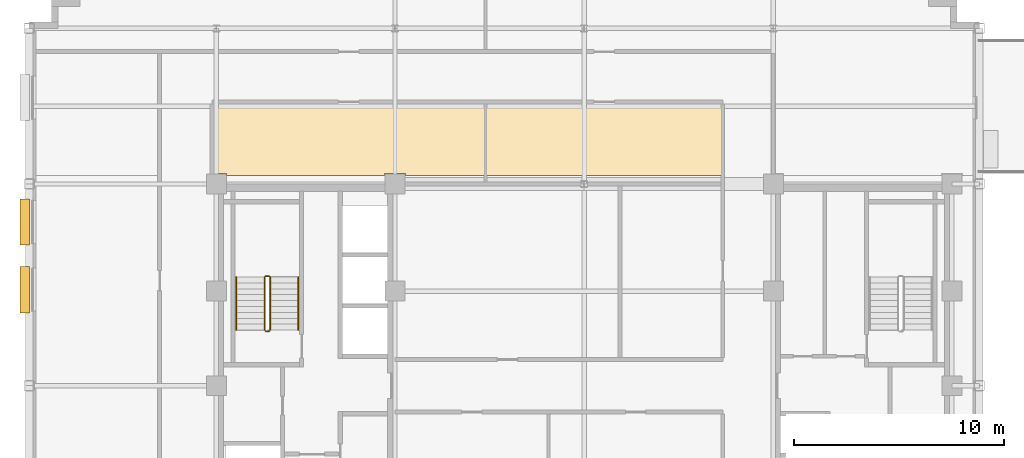
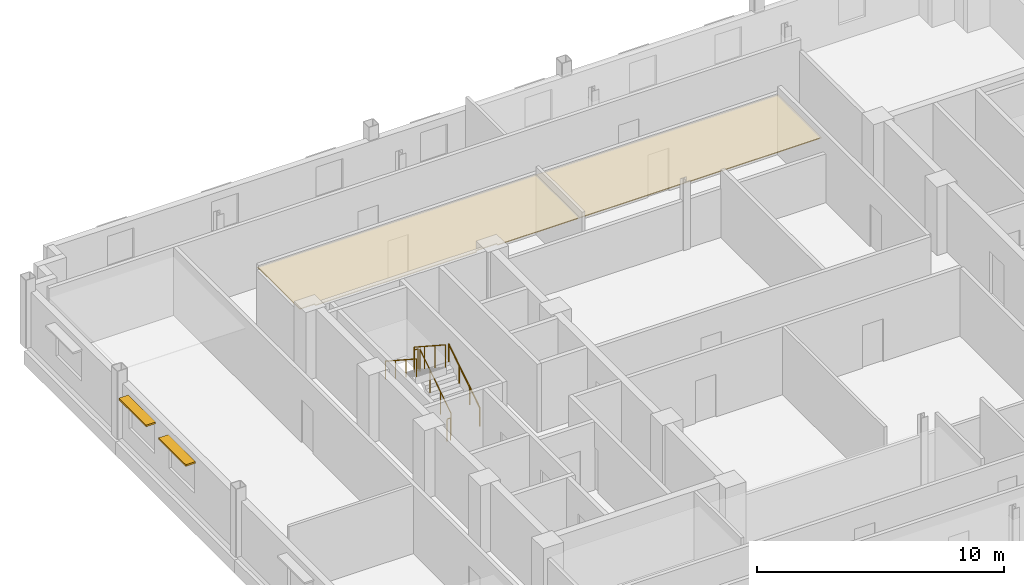
# One storey, part 11 of 13: 6 railings, 2 coverings, 2 shading devices.
"""IFC4 building model written with IfcOpenShell, lengths in metres."""

from ifc_helpers import new_model, si_unit, direction, frame, origin, origin_2d, place, context, subcontext, project, spatial, polyline, rectangle, circle, outline, extrude, source, transform, mapped, material, layer, layer_set, type_object, type_shapes, element, save


model = new_model("IFC4")

# Units and contexts
model_context = context("Model", 3, precision=1e-05, world=origin(), true_north=direction((0.0, 1.0)))
body_context = subcontext(model_context, "Body", "Model", "MODEL_VIEW")
ifc_project = project(units=[si_unit("LENGTHUNIT", "METRE"), si_unit("AREAUNIT", "SQUARE_METRE"), si_unit("VOLUMEUNIT", "CUBIC_METRE"), si_unit("PLANEANGLEUNIT", "RADIAN"), si_unit("MASSUNIT", "GRAM", prefix="KILO")], contexts=[model_context])

# Site, building, storey
site_placement = place(None, origin())
site = spatial("IfcSite", under=ifc_project, at=site_placement, CompositionType="ELEMENT")
building_placement = place(site_placement, origin())
building = spatial("IfcBuilding", under=site, at=building_placement, Name="Nuvemarco Arch Tower", CompositionType="ELEMENT")
storey_placement = place(building_placement, frame((0.0, 0.0, 212.800048828125)))
storey = spatial("IfcBuildingStorey", under=building, at=storey_placement, Name="L56", CompositionType="ELEMENT", Elevation=212.800048828125)

# Coverings
ifc_material_1 = material(Name="Mineral acoustic ceiling tile")
ifc_layer = layer(ifc_material_1, 0.0400390625, Name="COV-ACOUSTIC-CLG")
ifc_layer_set = layer_set([ifc_layer], Name="Mineral acoustic ceiling tile")
covering_type = type_object("IfcCoveringType", Name="COV-ACOUSTIC-CLG", PredefinedType="CEILING", material=ifc_layer_set)
covering_1_placement = place(storey_placement, frame((0.0, 0.0, 2.849853515625)))
element("IfcCovering", 1, at=covering_1_placement, inside=storey, type_object=covering_type, Name="L56 suspended acoustic ceiling 5", PredefinedType="CEILING", context=body_context, shape_type="SweptSolid", body=[
    extrude(outline(polyline([(-4.68994140625, 13.5), (-4.68994140625, 10.0), (-8.510009765625, 10.0), (-8.510009765625, 10.090087890625), (-9.489990234375, 10.090087890625), (-9.489990234375, 10.0), (-17.010009765625, 10.0), (-17.010009765625, 10.090087890625), (-17.699951171875, 10.090087890625), (-17.699951171875, 13.5), (-4.68994140625, 13.5)])), origin(), (0.0, 0.0, 1.0), 0.0400390625),
])
covering_2_placement = place(storey_placement, frame((0.0, 0.0, 2.849853515625)))
element("IfcCovering", 2, at=covering_2_placement, inside=storey, type_object=covering_type, Name="L56 suspended acoustic ceiling 7", PredefinedType="CEILING", context=body_context, shape_type="SweptSolid", body=[
    extrude(outline(polyline([(-4.68994140625, 13.5), (6.60009765625, 13.5), (6.60009765625, 10.0), (-4.68994140625, 10.0), (-4.68994140625, 13.5)])), origin(), (0.0, 0.0, 1.0), 0.0400390625),
])

# Railings
ifc_material_2 = material(Name="Brushed stainless steel handrail", Category="steel")
railing_type_1 = type_object("IfcRailingType", Name="RL-HANDRAIL-900", PredefinedType="HANDRAIL", material=ifc_material_2)
railing_1_placement = place(storey_placement, frame((-13.590087890625, 2.64990234375, 0.182373046875)))
element("IfcRailing", 3, at=railing_1_placement, inside=storey, type_object=railing_type_1, Name="L56 ST-1 stair handrail 1", PredefinedType="HANDRAIL", context=body_context, shape_type="SweptSolid", body=[
    extrude(circle(Radius=0.02392578125, at=origin_2d()), frame((0.0, 0.0, 0.8759765625), z_axis=(0.0, 0.837749427056, 0.546054848405), x_axis=(-1.0, 0.0, 0.0)), (0.0, 0.0, 1.0), 3.008056640625),
    extrude(circle(Radius=0.02099609375, at=origin_2d()), origin(), (0.0, 0.0, 1.0), 0.851806640625),
    extrude(circle(Radius=0.02099609375, at=origin_2d()), frame((0.0, 0.840087890625, 0.547607421875)), (0.0, 0.0, 1.0), 0.851806640625),
    extrude(circle(Radius=0.02099609375, at=origin_2d()), frame((0.0, 1.679931640625, 1.094970703125)), (0.0, 0.0, 1.0), 0.851806640625),
    extrude(circle(Radius=0.02099609375, at=origin_2d()), frame((0.0, 2.52001953125, 1.642578125)), (0.0, 0.0, 1.0), 0.851806640625),
])
railing_2_placement = place(storey_placement, frame((-16.550048828125, 5.169921875, 2.007568359375)))
element("IfcRailing", 4, at=railing_2_placement, inside=storey, type_object=railing_type_1, Name="L56 ST-1 stair handrail 2", PredefinedType="HANDRAIL", context=body_context, shape_type="SweptSolid", body=[
    extrude(circle(Radius=0.02392578125, at=origin_2d()), frame((0.0, 0.0, 0.8759765625), z_axis=(0.0, -0.837786554691, 0.545997883492), x_axis=(1.0, 0.0, 0.0)), (0.0, 0.0, 1.0), 3.008056640625),
    extrude(circle(Radius=0.02099609375, at=origin_2d()), origin(), (0.0, 0.0, 1.0), 0.851806640625),
    extrude(circle(Radius=0.02099609375, at=origin_2d()), frame((0.0, -0.840087890625, 0.54736328125)), (0.0, 0.0, 1.0), 0.851806640625),
    extrude(circle(Radius=0.02099609375, at=origin_2d()), frame((0.0, -1.679931640625, 1.094970703125)), (0.0, 0.0, 1.0), 0.851806640625),
    extrude(circle(Radius=0.02099609375, at=origin_2d()), frame((0.0, -2.52001953125, 1.642333984375)), (0.0, 0.0, 1.0), 0.851806640625),
])
ifc_material_3 = material(Name="Painted balustrade steel S355", Category="steel")
railing_type_2 = type_object("IfcRailingType", Name="RL-STAIR-GUARD", PredefinedType="GUARDRAIL", material=ifc_material_3)
railing_3_placement = place(storey_placement, frame((-14.93994140625, 2.64990234375, 0.182373046875)))
element("IfcRailing", 5, at=railing_3_placement, inside=storey, type_object=railing_type_2, Name="L56 ST-1 stair guard 1", PredefinedType="GUARDRAIL", context=body_context, shape_type="SweptSolid", body=[
    extrude(circle(Radius=0.02392578125, at=origin_2d()), frame((0.0, 0.0, 1.09619140625), z_axis=(0.0, 0.837749427056, 0.546054848405), x_axis=(-1.0, 0.0, 0.0)), (0.0, 0.0, 1.0), 3.008056640625),
    extrude(circle(Radius=0.02099609375, at=origin_2d()), origin(), (0.0, 0.0, 1.0), 1.072021484375),
    extrude(circle(Radius=0.02099609375, at=origin_2d()), frame((0.0, 0.840087890625, 0.547607421875)), (0.0, 0.0, 1.0), 1.072021484375),
    extrude(circle(Radius=0.02099609375, at=origin_2d()), frame((0.0, 1.679931640625, 1.094970703125)), (0.0, 0.0, 1.0), 1.072021484375),
    extrude(circle(Radius=0.02099609375, at=origin_2d()), frame((0.0, 2.52001953125, 1.642578125)), (0.0, 0.0, 1.0), 1.072021484375),
])
railing_4_placement = place(storey_placement, frame((-14.989990234375, 5.219970703125, 1.824951171875)))
element("IfcRailing", 6, at=railing_4_placement, inside=storey, type_object=railing_type_2, Name="L56 ST-1 stair guard 2", PredefinedType="GUARDRAIL", context=body_context, shape_type="SweptSolid", body=[
    extrude(circle(Radius=0.02392578125, at=origin_2d()), frame((0.0, 0.0, 1.09619140625), z_axis=(-1.0, 0.0, 0.0), x_axis=(0.0, -1.0, 0.0)), (0.0, 0.0, 1.0), 0.159912109375),
    extrude(circle(Radius=0.02099609375, at=origin_2d()), origin(), (0.0, 0.0, 1.0), 1.072021484375),
    extrude(circle(Radius=0.02099609375, at=origin_2d()), frame((-0.159912109375, 0.0, 0.0)), (0.0, 0.0, 1.0), 1.072021484375),
])
railing_5_placement = place(storey_placement, frame((-15.199951171875, 5.169921875, 2.007568359375)))
element("IfcRailing", 7, at=railing_5_placement, inside=storey, type_object=railing_type_2, Name="L56 ST-1 stair guard 3", PredefinedType="GUARDRAIL", context=body_context, shape_type="SweptSolid", body=[
    extrude(circle(Radius=0.02392578125, at=origin_2d()), frame((0.0, 0.0, 1.09619140625), z_axis=(0.0, -0.837786554691, 0.545997883492), x_axis=(1.0, 0.0, 0.0)), (0.0, 0.0, 1.0), 3.008056640625),
    extrude(circle(Radius=0.02099609375, at=origin_2d()), origin(), (0.0, 0.0, 1.0), 1.072021484375),
    extrude(circle(Radius=0.02099609375, at=origin_2d()), frame((0.0, -0.840087890625, 0.54736328125)), (0.0, 0.0, 1.0), 1.072021484375),
    extrude(circle(Radius=0.02099609375, at=origin_2d()), frame((0.0, -1.679931640625, 1.094970703125)), (0.0, 0.0, 1.0), 1.072021484375),
    extrude(circle(Radius=0.02099609375, at=origin_2d()), frame((0.0, -2.52001953125, 1.642333984375)), (0.0, 0.0, 1.0), 1.072021484375),
])
railing_6_placement = place(storey_placement, frame((-14.989990234375, 2.60009765625, 0.0)))
element("IfcRailing", 8, at=railing_6_placement, inside=storey, type_object=railing_type_2, Name="L56 ST-1 stair guard 4", PredefinedType="GUARDRAIL", context=body_context, shape_type="SweptSolid", body=[
    extrude(circle(Radius=0.02392578125, at=origin_2d()), frame((0.0, 0.0, 1.09619140625), z_axis=(-1.0, 0.0, 0.0), x_axis=(0.0, -1.0, 0.0)), (0.0, 0.0, 1.0), 0.159912109375),
    extrude(circle(Radius=0.02099609375, at=origin_2d()), origin(), (0.0, 0.0, 1.0), 1.072021484375),
    extrude(circle(Radius=0.02099609375, at=origin_2d()), frame((-0.159912109375, 0.0, 0.0)), (0.0, 0.0, 1.0), 1.072021484375),
])

# Shading devices
ifc_material_4 = material(Name="Anodised aluminium 6063-T6", Category="aluminium")
shading_device_type = type_object("IfcShadingDeviceType", Name="SHD-BRISE-SOLEIL", PredefinedType="USERDEFINED", material=ifc_material_4)
shared_shape = source(origin(), body_context, "Body", "SweptSolid", [
    extrude(rectangle(XDim=2.199951171875, YDim=0.449951171875, at=origin_2d()), origin(), (0.0, 0.0, 1.0), 0.080078125),
])
type_shapes(shading_device_type, [shared_shape])
for number, where, z_axis, x_axis, name in (
    (9, (-26.614990234375, 4.569580078125, 2.324951171875), (0.0, 0.0, 1.0), (0.0, 1.0, 0.0), "L56 horizontal brise-soleil sunshade"),
    (10, (-26.614990234375, 7.789306640625, 2.324951171875), (0.0, 0.0, 1.0), (0.0, 1.0, 0.0), "L56 horizontal brise-soleil sunshade"),
):
    element("IfcShadingDevice", number, at=place(storey_placement, frame(where, z_axis=z_axis, x_axis=x_axis)), inside=storey, type_object=shading_device_type, Name=name, ObjectType="SUNSHADE", PredefinedType="USERDEFINED", context=body_context, shape_type="MappedRepresentation", body=[
        mapped(shared_shape, transform((0.0, 0.0, 0.0), scale=1.0)),
    ])

save(model, "model.ifc")
